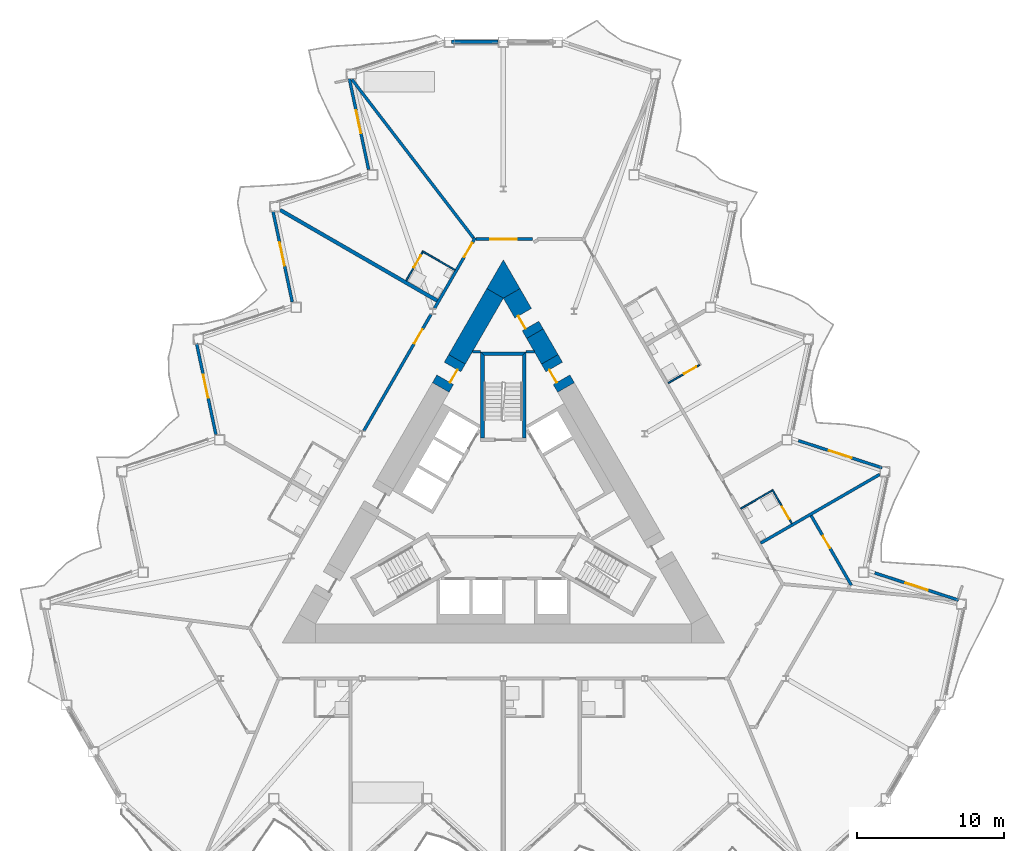
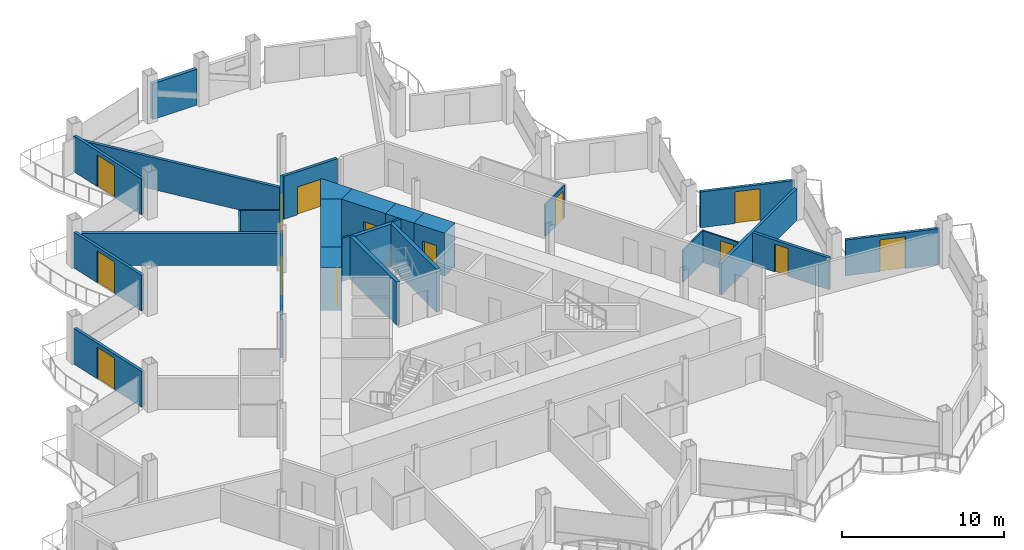
# One storey, part 14 of 23: 29 walls, 15 doors, 15 openings.
"""IFC4 building model written with IfcOpenShell, lengths in metres."""

from ifc_helpers import new_model, si_unit, direction, frame, frame_2d, origin, place, context, subcontext, project, spatial, polyline, rectangle, outline, extrude, material, layer, layer_set, type_object, element, fill, save


model = new_model("IFC4")

# Units and contexts
model_context = context("Model", 3, precision=1e-05, world=origin(), true_north=direction((0.0, 1.0)))
body_context = subcontext(model_context, "Body", "Model", "MODEL_VIEW")
ifc_project = project(units=[si_unit("LENGTHUNIT", "METRE"), si_unit("AREAUNIT", "SQUARE_METRE"), si_unit("VOLUMEUNIT", "CUBIC_METRE"), si_unit("PLANEANGLEUNIT", "RADIAN"), si_unit("MASSUNIT", "GRAM", prefix="KILO")], contexts=[model_context])

# Site, building, storey
site_placement = place(None, origin())
site = spatial("IfcSite", under=ifc_project, at=site_placement, CompositionType="ELEMENT")
building_placement = place(site_placement, origin())
building = spatial("IfcBuilding", under=site, at=building_placement, Name="Cormorant Prow Tower", CompositionType="ELEMENT")
storey_placement = place(building_placement, frame((0.0, 0.0, 256.199951171875)))
storey = spatial("IfcBuildingStorey", under=building, at=storey_placement, Name="L57", CompositionType="ELEMENT", Elevation=256.199951171875)

# Walls
ifc_material_1 = material(Name="Gypsum board partition")
ifc_layer_1 = layer(ifc_material_1, 0.14990234375)
ifc_layer_set_1 = layer_set([ifc_layer_1], Name="Gypsum board partition")
wall_type_1 = type_object("IfcWallType", Name="Core partition 150", PredefinedType="PARTITIONING", material=ifc_layer_set_1)
for number, where, z_axis, x_axis, name in (
    (1, (1.5439453125, 11.0869140625, 0.0), (0.0, 0.0, 1.0), (1.0, 0.0, 0.0), "Service room partition"),
    (2, (-1.5439453125, 11.0869140625, 0.0), (0.0, 0.0, 1.0), (-1.0, 0.0, 0.0), "Service room partition"),
):
    element("IfcWall", number, at=place(storey_placement, frame(where, z_axis=z_axis, x_axis=x_axis)), inside=storey, type_object=wall_type_1, Name=name, PredefinedType="PARTITIONING", context=body_context, shape_type="SweptSolid", body=[
        extrude(rectangle(XDim=0.553955078125, YDim=0.14990234375, at=frame_2d((0.27685546875, 0.0))), origin(), (0.0, 0.0, 1.0), 3.25),
    ])
ifc_material_2 = material(Name="Concrete 8000 psi", Category="concrete")
ifc_layer_2 = layer(ifc_material_2, 1.300048828125)
ifc_layer_set_2 = layer_set([ifc_layer_2], Name="Concrete 8000 psi")
wall_type_2 = type_object("IfcWallType", Name="Core shear wall 1300", PredefinedType="SHEAR", material=ifc_layer_set_2)
wall_1_placement = place(storey_placement, frame((3.14501953125, 10.572998046875, 0.0), z_axis=(0.0, 0.0, 1.0), x_axis=(-0.500006371327, 0.866021725266, 0.0)))
element("IfcWall", 3, at=wall_1_placement, inside=storey, type_object=wall_type_2, Name="Core wall", PredefinedType="SHEAR", context=body_context, shape_type="SweptSolid", body=[
    extrude(rectangle(XDim=2.009765625, YDim=1.300048828125, at=frame_2d((1.0048828125, 0.0))), origin(), (0.0, 0.0, 1.0), 3.25),
])
wall_2_placement = place(storey_placement, frame((-0.56298828125, 15.04541015625, 0.0), z_axis=(0.0, 0.0, 1.0), x_axis=(-0.499982995661, -0.866035221021, 0.0)))
element("IfcWall", 4, at=wall_2_placement, inside=storey, type_object=wall_type_2, Name="Core wall", PredefinedType="SHEAR", context=body_context, shape_type="SweptSolid", body=[
    extrude(rectangle(XDim=5.164306640625, YDim=1.300048828125, at=frame_2d((2.58203125, 0.0))), origin(), (0.0, 0.0, 1.0), 3.25),
])
wall_3_placement = place(storey_placement, origin())
element("IfcWall", 5, at=wall_3_placement, inside=storey, type_object=wall_type_2, Name="Core wall corner", PredefinedType="SHEAR", context=body_context, shape_type="SweptSolid", body=[
    extrude(outline(polyline([(-1.125732421875, 15.37060546875), (0.0, 17.320556640625), (1.125732421875, 15.37060546875), (0.0, 14.720458984375), (-1.125732421875, 15.37060546875)])), origin(), (0.0, 0.0, 1.0), 3.25),
])

# Wall, opening, door
wall_4_placement = place(storey_placement, frame((2.14013671875, 12.3134765625, 0.0), z_axis=(0.0, 0.0, 1.0), x_axis=(-0.499968102766, 0.866043818878, 0.0)))
wall_4 = element("IfcWall", 6, at=wall_4_placement, inside=storey, type_object=wall_type_2, Name="Core wall door panel", PredefinedType="SHEAR", context=body_context, shape_type="SweptSolid", body=[
    extrude(rectangle(XDim=3.154541015625, YDim=1.300048828125, at=frame_2d((1.5771484375, 0.0))), origin(), (0.0, 0.0, 1.0), 3.25),
])
opening_1_placement = place(wall_4_placement, frame((0.60009765625, 0.0, 0.0)))
opening_1 = element("IfcOpeningElement", 7, at=opening_1_placement, cuts=wall_4, Name="Opening L57-C16", PredefinedType="OPENING", context=body_context, shape_type="SweptSolid", body=[
    extrude(rectangle(XDim=1.0, YDim=2.10009765625, at=frame_2d((0.5, 1.050048828125))), frame((0.0, 0.659912109375, 0.0), z_axis=(0.0, -1.0, 0.0), x_axis=(1.0, 0.0, 0.0)), (0.0, 0.0, 1.0), 1.320068359375),
])
ifc_material_3 = material(Name="Painted steel", Category="steel")
door_type_1 = type_object("IfcDoorType", Name="Service door 1000x2100", OperationType="NOTDEFINED", PredefinedType="DOOR", material=ifc_material_3)
door_1_placement = place(opening_1_placement, origin())
door_1 = element("IfcDoor", 8, at=door_1_placement, inside=storey, type_object=door_type_1, Name="Core door, Mechanical riser room", OperationType="SINGLE_SWING_LEFT", OverallHeight=2.10009765625, OverallWidth=1.0, PredefinedType="DOOR", context=body_context, shape_type="SweptSolid", body=[
    extrude(rectangle(XDim=1.0, YDim=2.10009765625, at=frame_2d((0.5, 1.050048828125))), frame((0.0, 0.40478515625, 0.0), z_axis=(0.0, -1.0, 0.0), x_axis=(1.0, 0.0, 0.0)), (0.0, 0.0, 1.0), 0.050048828125),
])
fill(opening_1, door_1)

wall_5_placement = place(storey_placement, frame((4.2451171875, 8.667724609375, 0.0), z_axis=(0.0, 0.0, 1.0), x_axis=(-0.50002983664, 0.866008176907, 0.0)))
wall_5 = element("IfcWall", 9, at=wall_5_placement, inside=storey, type_object=wall_type_2, Name="Core wall door panel", PredefinedType="SHEAR", context=body_context, shape_type="SweptSolid", body=[
    extrude(rectangle(XDim=2.199951171875, YDim=1.300048828125, at=frame_2d((1.10009765625, 0.0))), origin(), (0.0, 0.0, 1.0), 3.25),
])
opening_2_placement = place(wall_5_placement, frame((0.60009765625, 0.0, 0.0)))
opening_2 = element("IfcOpeningElement", 10, at=opening_2_placement, cuts=wall_5, Name="Opening L57-C17", PredefinedType="OPENING", context=body_context, shape_type="SweptSolid", body=[
    extrude(rectangle(XDim=1.0, YDim=2.10009765625, at=frame_2d((0.5, 1.050048828125))), frame((0.0, 0.659912109375, 0.0), z_axis=(0.0, -1.0, 0.0), x_axis=(1.0, 0.0, 0.0)), (0.0, 0.0, 1.0), 1.320068359375),
])
door_2_placement = place(opening_2_placement, origin())
door_2 = element("IfcDoor", 11, at=door_2_placement, inside=storey, type_object=door_type_1, Name="Core door, Mechanical riser room", OperationType="SINGLE_SWING_LEFT", OverallHeight=2.10009765625, OverallWidth=1.0, PredefinedType="DOOR", context=body_context, shape_type="SweptSolid", body=[
    extrude(rectangle(XDim=1.0, YDim=2.10009765625, at=frame_2d((0.5, 1.050048828125))), frame((0.0, 0.40478515625, 0.0), z_axis=(0.0, -1.0, 0.0), x_axis=(1.0, 0.0, 0.0)), (0.0, 0.0, 1.0), 0.050048828125),
])
fill(opening_2, door_2)

wall_6_placement = place(storey_placement, frame((-3.14501953125, 10.572998046875, 0.0), z_axis=(0.0, 0.0, 1.0), x_axis=(-0.50002983664, -0.866008176907, 0.0)))
wall_6 = element("IfcWall", 12, at=wall_6_placement, inside=storey, type_object=wall_type_2, Name="Core wall door panel", PredefinedType="SHEAR", context=body_context, shape_type="SweptSolid", body=[
    extrude(rectangle(XDim=2.199951171875, YDim=1.300048828125, at=frame_2d((1.10009765625, 0.0))), origin(), (0.0, 0.0, 1.0), 3.25),
])
opening_3_placement = place(wall_6_placement, frame((0.60009765625, 0.0, 0.0)))
opening_3 = element("IfcOpeningElement", 13, at=opening_3_placement, cuts=wall_6, Name="Opening L57-C18", PredefinedType="OPENING", context=body_context, shape_type="SweptSolid", body=[
    extrude(rectangle(XDim=1.0, YDim=2.10009765625, at=frame_2d((0.5, 1.050048828125))), frame((0.0, 0.659912109375, 0.0), z_axis=(0.0, -1.0, 0.0), x_axis=(1.0, 0.0, 0.0)), (0.0, 0.0, 1.0), 1.320068359375),
])
door_3_placement = place(opening_3_placement, origin())
door_3 = element("IfcDoor", 14, at=door_3_placement, inside=storey, type_object=door_type_1, Name="Core door, Mechanical riser room", OperationType="SINGLE_SWING_RIGHT", OverallHeight=2.10009765625, OverallWidth=1.0, PredefinedType="DOOR", context=body_context, shape_type="SweptSolid", body=[
    extrude(rectangle(XDim=1.0, YDim=2.10009765625, at=frame_2d((0.5, 1.050048828125))), frame((0.0, 0.40478515625, 0.0), z_axis=(0.0, -1.0, 0.0), x_axis=(1.0, 0.0, 0.0)), (0.0, 0.0, 1.0), 0.050048828125),
])
fill(opening_3, door_3)

ifc_material_4 = material(Name="Gypsum board corridor wall")
ifc_layer_3 = layer(ifc_material_4, 0.199951171875)
ifc_layer_set_3 = layer_set([ifc_layer_3], Name="Gypsum board corridor wall")
wall_type_3 = type_object("IfcWallType", Name="Corridor wall 200", PredefinedType="PARTITIONING", material=ifc_layer_set_3)
wall_7_placement = place(storey_placement, frame((-9.45751953125, 5.739501953125, 0.0), z_axis=(0.0, 0.0, 1.0), x_axis=(0.50000207303, 0.866024206917, 0.0)))
wall_7 = element("IfcWall", 15, at=wall_7_placement, inside=storey, type_object=wall_type_3, Name="Corridor wall", PredefinedType="PARTITIONING", context=body_context, shape_type="SweptSolid", body=[
    extrude(rectangle(XDim=9.0947265625, YDim=0.199951171875, at=frame_2d((4.54736328125, 0.0))), origin(), (0.0, 0.0, 1.0), 3.25),
])
opening_4_placement = place(wall_7_placement, frame((6.833251953125, 0.0, 0.0)))
opening_4 = element("IfcOpeningElement", 16, at=opening_4_placement, cuts=wall_7, Name="Opening L57-F21", PredefinedType="OPENING", context=body_context, shape_type="SweptSolid", body=[
    extrude(rectangle(XDim=1.10009765625, YDim=2.10009765625, at=frame_2d((0.550048828125, 1.050048828125))), frame((0.0, 0.10986328125, 0.0), z_axis=(0.0, -1.0, 0.0), x_axis=(1.0, 0.0, 0.0)), (0.0, 0.0, 1.0), 0.219970703125),
])
ifc_material_5 = material(Name="Timber door leaf", Category="wood")
door_type_2 = type_object("IfcDoorType", Name="Suite entrance door 1100x2100", OperationType="NOTDEFINED", PredefinedType="DOOR", material=ifc_material_5)
door_4_placement = place(opening_4_placement, origin())
door_4 = element("IfcDoor", 17, at=door_4_placement, inside=storey, type_object=door_type_2, Name="Executive suite bedroom door", OperationType="SINGLE_SWING_RIGHT", OverallHeight=2.10009765625, OverallWidth=1.10009765625, PredefinedType="DOOR", context=body_context, shape_type="SweptSolid", body=[
    extrude(rectangle(XDim=1.10009765625, YDim=2.10009765625, at=frame_2d((0.550048828125, 1.050048828125))), frame((0.0, 0.02490234375, 0.0), z_axis=(0.0, -1.0, 0.0), x_axis=(1.0, 0.0, 0.0)), (0.0, 0.0, 1.0), 0.050048828125),
])
fill(opening_4, door_4)

wall_8_placement = place(storey_placement, frame((-4.668212890625, 14.034912109375, 0.0), z_axis=(0.0, 0.0, 1.0), x_axis=(0.499984524817, 0.866034338201, 0.0)))
wall_8 = element("IfcWall", 18, at=wall_8_placement, inside=storey, type_object=wall_type_3, Name="Corridor wall", PredefinedType="PARTITIONING", context=body_context, shape_type="SweptSolid", body=[
    extrude(rectangle(XDim=5.510498046875, YDim=0.199951171875, at=frame_2d((2.75537109375, 0.0))), origin(), (0.0, 0.0, 1.0), 3.25),
])
opening_5_placement = place(wall_8_placement, frame((4.009765625, 0.0, 0.0)))
opening_5 = element("IfcOpeningElement", 19, at=opening_5_placement, cuts=wall_8, Name="Opening L57-F19", PredefinedType="OPENING", context=body_context, shape_type="SweptSolid", body=[
    extrude(rectangle(XDim=1.10009765625, YDim=2.10009765625, at=frame_2d((0.550048828125, 1.050048828125))), frame((0.0, 0.10986328125, 0.0), z_axis=(0.0, -1.0, 0.0), x_axis=(1.0, 0.0, 0.0)), (0.0, 0.0, 1.0), 0.219970703125),
])
door_5_placement = place(opening_5_placement, origin())
door_5 = element("IfcDoor", 20, at=door_5_placement, inside=storey, type_object=door_type_2, Name="Junior suite door", OperationType="SINGLE_SWING_RIGHT", OverallHeight=2.10009765625, OverallWidth=1.10009765625, PredefinedType="DOOR", context=body_context, shape_type="SweptSolid", body=[
    extrude(rectangle(XDim=1.10009765625, YDim=2.10009765625, at=frame_2d((0.550048828125, 1.050048828125))), frame((0.0, 0.02490234375, 0.0), z_axis=(0.0, -1.0, 0.0), x_axis=(1.0, 0.0, 0.0)), (0.0, 0.0, 1.0), 0.050048828125),
])
fill(opening_5, door_5)

wall_9_placement = place(storey_placement, frame((-1.863037109375, 18.720458984375, 0.0), z_axis=(0.0, 0.0, 1.0), x_axis=(1.0, 0.0, 0.0)))
wall_9 = element("IfcWall", 21, at=wall_9_placement, inside=storey, type_object=wall_type_3, Name="Corridor wall", PredefinedType="PARTITIONING", context=body_context, shape_type="SweptSolid", body=[
    extrude(rectangle(XDim=3.825927734375, YDim=0.199951171875, at=frame_2d((1.9130859375, 0.0))), origin(), (0.0, 0.0, 1.0), 3.25),
])
opening_6_placement = place(wall_9_placement, frame((0.962158203125, 0.0, 0.0)))
opening_6 = element("IfcOpeningElement", 22, at=opening_6_placement, cuts=wall_9, Name="Opening L57-F18", PredefinedType="OPENING", context=body_context, shape_type="SweptSolid", body=[
    extrude(rectangle(XDim=1.800048828125, YDim=2.10009765625, at=frame_2d((0.89990234375, 1.050048828125))), frame((0.0, 0.10986328125, 0.0), z_axis=(0.0, -1.0, 0.0), x_axis=(1.0, 0.0, 0.0)), (0.0, 0.0, 1.0), 0.219970703125),
])
ifc_material_6 = material(Name="Timber door leaf", Category="wood")
door_type_3 = type_object("IfcDoorType", Name="Double door 1800x2100", OperationType="DOUBLE_DOOR_SINGLE_SWING", PredefinedType="DOOR", material=ifc_material_6)
door_6_placement = place(opening_6_placement, origin())
door_6 = element("IfcDoor", 23, at=door_6_placement, inside=storey, type_object=door_type_3, Name="Co-working space door", OperationType="DOUBLE_DOOR_SINGLE_SWING", OverallHeight=2.10009765625, OverallWidth=1.800048828125, PredefinedType="DOOR", context=body_context, shape_type="SweptSolid", body=[
    extrude(rectangle(XDim=1.800048828125, YDim=2.10009765625, at=frame_2d((0.89990234375, 1.050048828125))), frame((0.0, 0.02490234375, 0.0), z_axis=(0.0, -1.0, 0.0), x_axis=(1.0, 0.0, 0.0)), (0.0, 0.0, 1.0), 0.050048828125),
])
fill(opening_6, door_6)

# Walls
ifc_material_7 = material(Name="Gypsum board demising wall")
ifc_layer_4 = layer(ifc_material_7, 0.199951171875)
ifc_layer_set_4 = layer_set([ifc_layer_4], Name="Gypsum board demising wall")
wall_type_4 = type_object("IfcWallType", Name="Demising wall 200", PredefinedType="PARTITIONING", material=ifc_layer_set_4)
wall_10_placement = place(storey_placement, frame((-10.27734375, 29.555908203125, 0.0), z_axis=(0.0, 0.0, 1.0), x_axis=(0.60876001101, -0.793354428358, 0.0)))
element("IfcWall", 24, at=wall_10_placement, inside=storey, type_object=wall_type_4, Name="Demising wall", PredefinedType="PARTITIONING", context=body_context, shape_type="SweptSolid", body=[
    extrude(rectangle(XDim=13.557861328125, YDim=0.199951171875, at=frame_2d((6.77880859375, 0.0))), origin(), (0.0, 0.0, 1.0), 2.404296875),
])
wall_11_placement = place(storey_placement, frame((17.442626953125, -1.89111328125, 0.0), z_axis=(0.0, 0.0, 1.0), x_axis=(0.866019838429, 0.500009639354, 0.0)))
element("IfcWall", 25, at=wall_11_placement, inside=storey, type_object=wall_type_4, Name="Demising wall", PredefinedType="PARTITIONING", context=body_context, shape_type="SweptSolid", body=[
    extrude(rectangle(XDim=9.321044921875, YDim=0.199951171875, at=frame_2d((4.66064453125, 0.0))), origin(), (0.0, 0.0, 1.0), 2.404296875),
])

# Wall, opening, door
wall_12_placement = place(storey_placement, frame((20.8701171875, -0.027587890625, 0.0), z_axis=(0.0, 0.0, 1.0), x_axis=(0.499993928037, -0.866028909405, 0.0)))
wall_12 = element("IfcWall", 26, at=wall_12_placement, inside=storey, type_object=wall_type_4, Name="Demising wall", PredefinedType="PARTITIONING", context=body_context, shape_type="SweptSolid", body=[
    extrude(rectangle(XDim=5.44921875, YDim=0.199951171875, at=frame_2d((2.724609375, 0.0))), origin(), (0.0, 0.0, 1.0), 2.404296875),
])
opening_7_placement = place(wall_12_placement, frame((1.5830078125, 0.0, 0.0)))
opening_7 = element("IfcOpeningElement", 27, at=opening_7_placement, cuts=wall_12, Name="Opening L57-F11", PredefinedType="OPENING", context=body_context, shape_type="SweptSolid", body=[
    extrude(rectangle(XDim=0.949951171875, YDim=2.10009765625, at=frame_2d((0.47509765625, 1.050048828125))), frame((0.0, 0.10986328125, 0.0), z_axis=(0.0, -1.0, 0.0), x_axis=(1.0, 0.0, 0.0)), (0.0, 0.0, 1.0), 0.219970703125),
])
ifc_material_8 = material(Name="Timber door leaf", Category="wood")
door_type_4 = type_object("IfcDoorType", Name="Store door 950x2100", OperationType="NOTDEFINED", PredefinedType="DOOR", material=ifc_material_8)
door_7_placement = place(opening_7_placement, origin())
door_7 = element("IfcDoor", 28, at=door_7_placement, inside=storey, type_object=door_type_4, Name="Housekeeping room door", OperationType="SINGLE_SWING_LEFT", OverallHeight=2.10009765625, OverallWidth=0.949951171875, PredefinedType="DOOR", context=body_context, shape_type="SweptSolid", body=[
    extrude(rectangle(XDim=0.949951171875, YDim=2.10009765625, at=frame_2d((0.47509765625, 1.050048828125))), frame((0.0, 0.02490234375, 0.0), z_axis=(0.0, -1.0, 0.0), x_axis=(1.0, 0.0, 0.0)), (0.0, 0.0, 1.0), 0.050048828125),
])
fill(opening_7, door_7)

ifc_material_9 = material(Name="Gypsum board partition")
ifc_layer_5 = layer(ifc_material_9, 0.10009765625)
ifc_layer_set_5 = layer_set([ifc_layer_5], Name="Gypsum board partition")
wall_type_5 = type_object("IfcWallType", Name="Internal partition 100", PredefinedType="PARTITIONING", material=ifc_layer_set_5)
wall_13_placement = place(storey_placement, frame((18.232666015625, 1.740478515625, 0.0), z_axis=(0.0, 0.0, 1.0), x_axis=(0.499993606316, -0.866029095148, 0.0)))
wall_13 = element("IfcWall", 29, at=wall_13_placement, inside=storey, type_object=wall_type_5, Name="Internal partition", PredefinedType="PARTITIONING", context=body_context, shape_type="SweptSolid", body=[
    extrude(rectangle(XDim=2.64990234375, YDim=0.10009765625, at=frame_2d((1.324951171875, 0.0))), origin(), (0.0, 0.0, 1.0), 2.404296875),
])
opening_8_placement = place(wall_13_placement, frame((1.3408203125, 0.0, 0.0)))
opening_8 = element("IfcOpeningElement", 30, at=opening_8_placement, cuts=wall_13, Name="Opening L57-F13", PredefinedType="OPENING", context=body_context, shape_type="SweptSolid", body=[
    extrude(rectangle(XDim=0.949951171875, YDim=2.10009765625, at=frame_2d((0.47509765625, 1.050048828125))), frame((0.0, 0.06005859375, 0.0), z_axis=(0.0, -1.0, 0.0), x_axis=(1.0, 0.0, 0.0)), (0.0, 0.0, 1.0), 0.1201171875),
])
ifc_material_10 = material(Name="Timber door leaf", Category="wood")
door_type_5 = type_object("IfcDoorType", Name="Bathroom door 950x2100", OperationType="NOTDEFINED", PredefinedType="DOOR", material=ifc_material_10)
door_8_placement = place(opening_8_placement, origin())
door_8 = element("IfcDoor", 31, at=door_8_placement, inside=storey, type_object=door_type_5, Name="Guest room door", OperationType="SINGLE_SWING_RIGHT", OverallHeight=2.10009765625, OverallWidth=0.949951171875, PredefinedType="DOOR", context=body_context, shape_type="SweptSolid", body=[
    extrude(rectangle(XDim=0.949951171875, YDim=2.10009765625, at=frame_2d((0.47509765625, 1.050048828125))), frame((0.0, 0.02490234375, 0.0), z_axis=(0.0, -1.0, 0.0), x_axis=(1.0, 0.0, 0.0)), (0.0, 0.0, 1.0), 0.050048828125),
])
fill(opening_8, door_8)

# Wall
wall_14_placement = place(storey_placement, frame((16.092529296875, 0.447265625, 0.0), z_axis=(0.0, 0.0, 1.0), x_axis=(0.866057815567, 0.499943856944, 0.0)))
element("IfcWall", 32, at=wall_14_placement, inside=storey, type_object=wall_type_5, Name="Internal partition", PredefinedType="PARTITIONING", context=body_context, shape_type="SweptSolid", body=[
    extrude(rectangle(XDim=2.449951171875, YDim=0.10009765625, at=frame_2d((1.22509765625, 0.0))), origin(), (0.0, 0.0, 1.0), 2.404296875),
])

# Wall, opening, door
wall_15_placement = place(storey_placement, frame((11.17333984375, 8.967529296875, 0.0), z_axis=(0.0, 0.0, 1.0), x_axis=(0.866014668023, 0.500018594424, 0.0)))
wall_15 = element("IfcWall", 33, at=wall_15_placement, inside=storey, type_object=wall_type_5, Name="Internal partition", PredefinedType="PARTITIONING", context=body_context, shape_type="SweptSolid", body=[
    extrude(rectangle(XDim=2.4501953125, YDim=0.10009765625, at=frame_2d((1.22509765625, 0.0))), origin(), (0.0, 0.0, 1.0), 2.404296875),
])
opening_9_placement = place(wall_15_placement, frame((1.25, 0.0, 0.0)))
opening_9 = element("IfcOpeningElement", 34, at=opening_9_placement, cuts=wall_15, Name="Opening L57-F15", PredefinedType="OPENING", context=body_context, shape_type="SweptSolid", body=[
    extrude(rectangle(XDim=0.949951171875, YDim=2.10009765625, at=frame_2d((0.47509765625, 1.050048828125))), frame((0.0, 0.06005859375, 0.0), z_axis=(0.0, -1.0, 0.0), x_axis=(1.0, 0.0, 0.0)), (0.0, 0.0, 1.0), 0.1201171875),
])
door_9_placement = place(opening_9_placement, origin())
door_9 = element("IfcDoor", 35, at=door_9_placement, inside=storey, type_object=door_type_5, Name="Junior suite door", OperationType="SINGLE_SWING_RIGHT", OverallHeight=2.10009765625, OverallWidth=0.949951171875, PredefinedType="DOOR", context=body_context, shape_type="SweptSolid", body=[
    extrude(rectangle(XDim=0.949951171875, YDim=2.10009765625, at=frame_2d((0.47509765625, 1.050048828125))), frame((0.0, 0.02490234375, 0.0), z_axis=(0.0, -1.0, 0.0), x_axis=(1.0, 0.0, 0.0)), (0.0, 0.0, 1.0), 0.050048828125),
])
fill(opening_9, door_9)

# Wall
wall_16_placement = place(storey_placement, frame((-5.493896484375, 17.90478515625, 0.0), z_axis=(0.0, 0.0, 1.0), x_axis=(0.866030925526, -0.499990435942, 0.0)))
element("IfcWall", 36, at=wall_16_placement, inside=storey, type_object=wall_type_5, Name="Internal partition", PredefinedType="PARTITIONING", context=body_context, shape_type="SweptSolid", body=[
    extrude(rectangle(XDim=2.5498046875, YDim=0.10009765625, at=frame_2d((1.27490234375, 0.0))), origin(), (0.0, 0.0, 1.0), 2.404296875),
])

# Wall, opening, door
wall_17_placement = place(storey_placement, frame((-6.588134765625, 15.909423828125, 0.0), z_axis=(0.0, 0.0, 1.0), x_axis=(0.49999788721, 0.866026623601, 0.0)))
wall_17 = element("IfcWall", 37, at=wall_17_placement, inside=storey, type_object=wall_type_5, Name="Internal partition", PredefinedType="PARTITIONING", context=body_context, shape_type="SweptSolid", body=[
    extrude(rectangle(XDim=2.22509765625, YDim=0.10009765625, at=frame_2d((1.112548828125, 0.0))), origin(), (0.0, 0.0, 1.0), 2.404296875),
])
opening_10_placement = place(wall_17_placement, frame((1.02490234375, 0.0, 0.0)))
opening_10 = element("IfcOpeningElement", 38, at=opening_10_placement, cuts=wall_17, Name="Opening L57-F20", PredefinedType="OPENING", context=body_context, shape_type="SweptSolid", body=[
    extrude(rectangle(XDim=0.949951171875, YDim=2.10009765625, at=frame_2d((0.47509765625, 1.050048828125))), frame((0.0, 0.06005859375, 0.0), z_axis=(0.0, -1.0, 0.0), x_axis=(1.0, 0.0, 0.0)), (0.0, 0.0, 1.0), 0.1201171875),
])
door_10_placement = place(opening_10_placement, origin())
door_10 = element("IfcDoor", 39, at=door_10_placement, inside=storey, type_object=door_type_5, Name="Junior suite door", OperationType="SINGLE_SWING_RIGHT", OverallHeight=2.10009765625, OverallWidth=0.949951171875, PredefinedType="DOOR", context=body_context, shape_type="SweptSolid", body=[
    extrude(rectangle(XDim=0.949951171875, YDim=2.10009765625, at=frame_2d((0.47509765625, 1.050048828125))), frame((0.0, 0.02490234375, 0.0), z_axis=(0.0, -1.0, 0.0), x_axis=(1.0, 0.0, 0.0)), (0.0, 0.0, 1.0), 0.050048828125),
])
fill(opening_10, door_10)

# Walls
ifc_material_11 = material(Name="Concrete 8000 psi", Category="concrete")
ifc_layer_6 = layer(ifc_material_11, 0.25)
ifc_layer_set_6 = layer_set([ifc_layer_6], Name="Concrete 8000 psi")
wall_type_6 = type_object("IfcWallType", Name="Stair wall 250", PredefinedType="SHEAR", material=ifc_layer_set_6)
wall_18_placement = place(storey_placement, origin())
element("IfcWall", 40, at=wall_18_placement, inside=storey, type_object=wall_type_6, Name="Stair ST3 enclosure wall (flank)", PredefinedType="SHEAR", context=body_context, shape_type="SweptSolid", body=[
    extrude(outline(polyline([(1.5439453125, 5.23681640625), (1.5439453125, 11.0869140625), (1.2939453125, 10.8369140625), (1.2939453125, 5.23681640625), (1.5439453125, 5.23681640625)])), origin(), (0.0, 0.0, 1.0), 3.25),
])
wall_19_placement = place(storey_placement, origin())
element("IfcWall", 41, at=wall_19_placement, inside=storey, type_object=wall_type_6, Name="Stair ST3 enclosure wall (end)", PredefinedType="SHEAR", context=body_context, shape_type="SweptSolid", body=[
    extrude(outline(polyline([(1.5439453125, 11.0869140625), (-1.5439453125, 11.0869140625), (-1.2939453125, 10.8369140625), (1.2939453125, 10.8369140625), (1.5439453125, 11.0869140625)])), origin(), (0.0, 0.0, 1.0), 3.25),
])
wall_20_placement = place(storey_placement, origin())
element("IfcWall", 42, at=wall_20_placement, inside=storey, type_object=wall_type_6, Name="Stair ST3 enclosure wall (flank)", PredefinedType="SHEAR", context=body_context, shape_type="SweptSolid", body=[
    extrude(outline(polyline([(-1.2939453125, 10.8369140625), (-1.5439453125, 11.0869140625), (-1.5439453125, 5.23681640625), (-1.2939453125, 5.23681640625), (-1.2939453125, 10.8369140625)])), origin(), (0.0, 0.0, 1.0), 3.25),
])
ifc_material_12 = material(Name="Acoustic gypsum party wall")
ifc_layer_7 = layer(ifc_material_12, 0.25)
ifc_layer_set_7 = layer_set([ifc_layer_7], Name="Acoustic gypsum party wall")
wall_type_7 = type_object("IfcWallType", Name="Suite party wall 250", PredefinedType="PARTITIONING", material=ifc_layer_set_7)
wall_21_placement = place(storey_placement, frame((-15.138427734375, 20.70166015625, 0.0), z_axis=(0.0, 0.0, 1.0), x_axis=(0.86602627735, -0.499998486937, 0.0)))
element("IfcWall", 43, at=wall_21_placement, inside=storey, type_object=wall_type_7, Name="Suite party wall", PredefinedType="PARTITIONING", context=body_context, shape_type="SweptSolid", body=[
    extrude(rectangle(XDim=12.30078125, YDim=0.25, at=frame_2d((6.150390625, 0.0))), origin(), (0.0, 0.0, 1.0), 2.404296875),
])
ifc_material_13 = material(Name="Terracotta", Category="masonry")
ifc_layer_8 = layer(ifc_material_13, 0.25)
ifc_layer_set_8 = layer_set([ifc_layer_8], Name="Terracotta")
wall_type_8 = type_object("IfcWallType", Name="Terracotta bay wall 250", PredefinedType="SOLIDWALL", material=ifc_layer_set_8)
wall_22_placement = place(storey_placement, frame((-0.35009765625, 32.099609375, 0.0), z_axis=(0.0, 0.0, 1.0), x_axis=(-1.0, 0.0, 0.0)))
element("IfcWall", 44, at=wall_22_placement, inside=storey, type_object=wall_type_8, Name="Terracotta bay wall N01", PredefinedType="SOLIDWALL", context=body_context, shape_type="SweptSolid", body=[
    extrude(rectangle(XDim=3.168701171875, YDim=0.25, at=frame_2d((1.58447265625, 0.0))), origin(), (0.0, 0.0, 1.0), 2.700927734375),
])

# Wall, opening, door
ifc_material_14 = material(Name="Terracotta", Category="masonry")
ifc_layer_9 = layer(ifc_material_14, 0.199951171875)
ifc_layer_set_9 = layer_set([ifc_layer_9], Name="Terracotta")
wall_type_9 = type_object("IfcWallType", Name="Terracotta jamb wall 200", PredefinedType="SOLIDWALL", material=ifc_layer_set_9)
wall_23_placement = place(storey_placement, frame((30.85888671875, -5.754150390625, 0.0), z_axis=(0.0, 0.0, 1.0), x_axis=(-0.951049400374, 0.309038894069, 0.0)))
wall_23 = element("IfcWall", 45, at=wall_23_placement, inside=storey, type_object=wall_type_9, Name="Terracotta jamb wall ENE01", PredefinedType="SOLIDWALL", context=body_context, shape_type="SweptSolid", body=[
    extrude(rectangle(XDim=5.9677734375, YDim=0.199951171875, at=frame_2d((2.98388671875, 0.0))), origin(), (0.0, 0.0, 1.0), 2.700927734375),
])
opening_11_placement = place(wall_23_placement, frame((2.183837890625, 0.0, 0.0)))
opening_11 = element("IfcOpeningElement", 46, at=opening_11_placement, cuts=wall_23, Name="Opening ED57.06", PredefinedType="OPENING", context=body_context, shape_type="SweptSolid", body=[
    extrude(rectangle(XDim=1.60009765625, YDim=2.39990234375, at=frame_2d((0.800048828125, 1.199951171875))), frame((0.0, 0.10986328125, 0.0), z_axis=(0.0, -1.0, 0.0), x_axis=(1.0, 0.0, 0.0)), (0.0, 0.0, 1.0), 0.219970703125),
])
ifc_material_15 = material(Name="Aluminium 6063-T6", Category="aluminium")
door_type_6 = type_object("IfcDoorType", Name="Balcony door 1600x2400", OperationType="DOUBLE_DOOR_SINGLE_SWING", PredefinedType="DOOR", material=ifc_material_15)
door_11_placement = place(opening_11_placement, origin())
door_11 = element("IfcDoor", 47, at=door_11_placement, inside=storey, type_object=door_type_6, Name="Balcony door ENE01 ED57.06", OperationType="DOUBLE_DOOR_SINGLE_SWING", OverallHeight=2.39990234375, OverallWidth=1.60009765625, PredefinedType="DOOR", context=body_context, shape_type="SweptSolid", body=[
    extrude(rectangle(XDim=1.60009765625, YDim=2.39990234375, at=frame_2d((0.800048828125, 1.199951171875))), frame((0.0, 0.02490234375, 0.0), z_axis=(0.0, -1.0, 0.0), x_axis=(1.0, 0.0, 0.0)), (0.0, 0.0, 1.0), 0.050048828125),
])
fill(opening_11, door_11)

wall_24_placement = place(storey_placement, frame((25.679443359375, 3.217041015625, 0.0), z_axis=(0.0, 0.0, 1.0), x_axis=(-0.951049400374, 0.309038894069, 0.0)))
wall_24 = element("IfcWall", 48, at=wall_24_placement, inside=storey, type_object=wall_type_9, Name="Terracotta jamb wall ENE03", PredefinedType="SOLIDWALL", context=body_context, shape_type="SweptSolid", body=[
    extrude(rectangle(XDim=5.9677734375, YDim=0.199951171875, at=frame_2d((2.98388671875, 0.0))), origin(), (0.0, 0.0, 1.0), 2.700927734375),
])
opening_12_placement = place(wall_24_placement, frame((2.183837890625, 0.0, 0.0)))
opening_12 = element("IfcOpeningElement", 49, at=opening_12_placement, cuts=wall_24, Name="Opening ED57.07", PredefinedType="OPENING", context=body_context, shape_type="SweptSolid", body=[
    extrude(rectangle(XDim=1.60009765625, YDim=2.39990234375, at=frame_2d((0.800048828125, 1.199951171875))), frame((0.0, 0.10986328125, 0.0), z_axis=(0.0, -1.0, 0.0), x_axis=(1.0, 0.0, 0.0)), (0.0, 0.0, 1.0), 0.219970703125),
])
door_12_placement = place(opening_12_placement, origin())
door_12 = element("IfcDoor", 50, at=door_12_placement, inside=storey, type_object=door_type_6, Name="Balcony door ENE03 ED57.07", OperationType="DOUBLE_DOOR_SINGLE_SWING", OverallHeight=2.39990234375, OverallWidth=1.60009765625, PredefinedType="DOOR", context=body_context, shape_type="SweptSolid", body=[
    extrude(rectangle(XDim=1.60009765625, YDim=2.39990234375, at=frame_2d((0.800048828125, 1.199951171875))), frame((0.0, 0.02490234375, 0.0), z_axis=(0.0, -1.0, 0.0), x_axis=(1.0, 0.0, 0.0)), (0.0, 0.0, 1.0), 0.050048828125),
])
fill(opening_12, door_12)

wall_25_placement = place(storey_placement, frame((-10.4462890625, 29.6015625, 0.0), z_axis=(0.0, 0.0, 1.0), x_axis=(0.207926028339, -0.97814455309, 0.0)))
wall_25 = element("IfcWall", 51, at=wall_25_placement, inside=storey, type_object=wall_type_9, Name="Terracotta jamb wall WNW01", PredefinedType="SOLIDWALL", context=body_context, shape_type="SweptSolid", body=[
    extrude(rectangle(XDim=6.29345703125, YDim=0.199951171875, at=frame_2d((3.146728515625, 0.0))), origin(), (0.0, 0.0, 1.0), 2.700927734375),
])
opening_13_placement = place(wall_25_placement, frame((2.183837890625, 0.0, 0.0)))
opening_13 = element("IfcOpeningElement", 52, at=opening_13_placement, cuts=wall_25, Name="Opening ED57.11", PredefinedType="OPENING", context=body_context, shape_type="SweptSolid", body=[
    extrude(rectangle(XDim=1.60009765625, YDim=2.39990234375, at=frame_2d((0.800048828125, 1.199951171875))), frame((0.0, 0.10986328125, 0.0), z_axis=(0.0, -1.0, 0.0), x_axis=(1.0, 0.0, 0.0)), (0.0, 0.0, 1.0), 0.219970703125),
])
door_13_placement = place(opening_13_placement, origin())
door_13 = element("IfcDoor", 53, at=door_13_placement, inside=storey, type_object=door_type_6, Name="Balcony door WNW01 ED57.11", OperationType="DOUBLE_DOOR_SINGLE_SWING", OverallHeight=2.39990234375, OverallWidth=1.60009765625, PredefinedType="DOOR", context=body_context, shape_type="SweptSolid", body=[
    extrude(rectangle(XDim=1.60009765625, YDim=2.39990234375, at=frame_2d((0.800048828125, 1.199951171875))), frame((0.0, 0.02490234375, 0.0), z_axis=(0.0, -1.0, 0.0), x_axis=(1.0, 0.0, 0.0)), (0.0, 0.0, 1.0), 0.050048828125),
])
fill(opening_13, door_13)

wall_26_placement = place(storey_placement, frame((-15.625732421875, 20.630615234375, 0.0), z_axis=(0.0, 0.0, 1.0), x_axis=(0.207882853761, -0.978153729795, 0.0)))
wall_26 = element("IfcWall", 54, at=wall_26_placement, inside=storey, type_object=wall_type_9, Name="Terracotta jamb wall WNW03", PredefinedType="SOLIDWALL", context=body_context, shape_type="SweptSolid", body=[
    extrude(rectangle(XDim=6.30078125, YDim=0.199951171875, at=frame_2d((3.150390625, 0.0))), origin(), (0.0, 0.0, 1.0), 2.700927734375),
])
opening_14_placement = place(wall_26_placement, frame((2.183837890625, 0.0, 0.0)))
opening_14 = element("IfcOpeningElement", 55, at=opening_14_placement, cuts=wall_26, Name="Opening ED57.12", PredefinedType="OPENING", context=body_context, shape_type="SweptSolid", body=[
    extrude(rectangle(XDim=1.60009765625, YDim=2.39990234375, at=frame_2d((0.800048828125, 1.199951171875))), frame((0.0, 0.10986328125, 0.0), z_axis=(0.0, -1.0, 0.0), x_axis=(1.0, 0.0, 0.0)), (0.0, 0.0, 1.0), 0.219970703125),
])
door_14_placement = place(opening_14_placement, origin())
door_14 = element("IfcDoor", 56, at=door_14_placement, inside=storey, type_object=door_type_6, Name="Balcony door WNW03 ED57.12", OperationType="DOUBLE_DOOR_SINGLE_SWING", OverallHeight=2.39990234375, OverallWidth=1.60009765625, PredefinedType="DOOR", context=body_context, shape_type="SweptSolid", body=[
    extrude(rectangle(XDim=1.60009765625, YDim=2.39990234375, at=frame_2d((0.800048828125, 1.199951171875))), frame((0.0, 0.02490234375, 0.0), z_axis=(0.0, -1.0, 0.0), x_axis=(1.0, 0.0, 0.0)), (0.0, 0.0, 1.0), 0.050048828125),
])
fill(opening_14, door_14)

wall_27_placement = place(storey_placement, frame((-20.805419921875, 11.659423828125, 0.0), z_axis=(0.0, 0.0, 1.0), x_axis=(0.207913305093, -0.978147257608, 0.0)))
wall_27 = element("IfcWall", 57, at=wall_27_placement, inside=storey, type_object=wall_type_9, Name="Terracotta jamb wall WNW05", PredefinedType="SOLIDWALL", context=body_context, shape_type="SweptSolid", body=[
    extrude(rectangle(XDim=6.316162109375, YDim=0.199951171875, at=frame_2d((3.158203125, 0.0))), origin(), (0.0, 0.0, 1.0), 2.700927734375),
])
opening_15_placement = place(wall_27_placement, frame((2.183837890625, 0.0, 0.0)))
opening_15 = element("IfcOpeningElement", 58, at=opening_15_placement, cuts=wall_27, Name="Opening ED57.13", PredefinedType="OPENING", context=body_context, shape_type="SweptSolid", body=[
    extrude(rectangle(XDim=1.60009765625, YDim=2.39990234375, at=frame_2d((0.800048828125, 1.199951171875))), frame((0.0, 0.10986328125, 0.0), z_axis=(0.0, -1.0, 0.0), x_axis=(1.0, 0.0, 0.0)), (0.0, 0.0, 1.0), 0.219970703125),
])
door_15_placement = place(opening_15_placement, origin())
door_15 = element("IfcDoor", 59, at=door_15_placement, inside=storey, type_object=door_type_6, Name="Balcony door WNW05 ED57.13", OperationType="DOUBLE_DOOR_SINGLE_SWING", OverallHeight=2.39990234375, OverallWidth=1.60009765625, PredefinedType="DOOR", context=body_context, shape_type="SweptSolid", body=[
    extrude(rectangle(XDim=1.60009765625, YDim=2.39990234375, at=frame_2d((0.800048828125, 1.199951171875))), frame((0.0, 0.02490234375, 0.0), z_axis=(0.0, -1.0, 0.0), x_axis=(1.0, 0.0, 0.0)), (0.0, 0.0, 1.0), 0.050048828125),
])
fill(opening_15, door_15)

save(model, "model.ifc")
